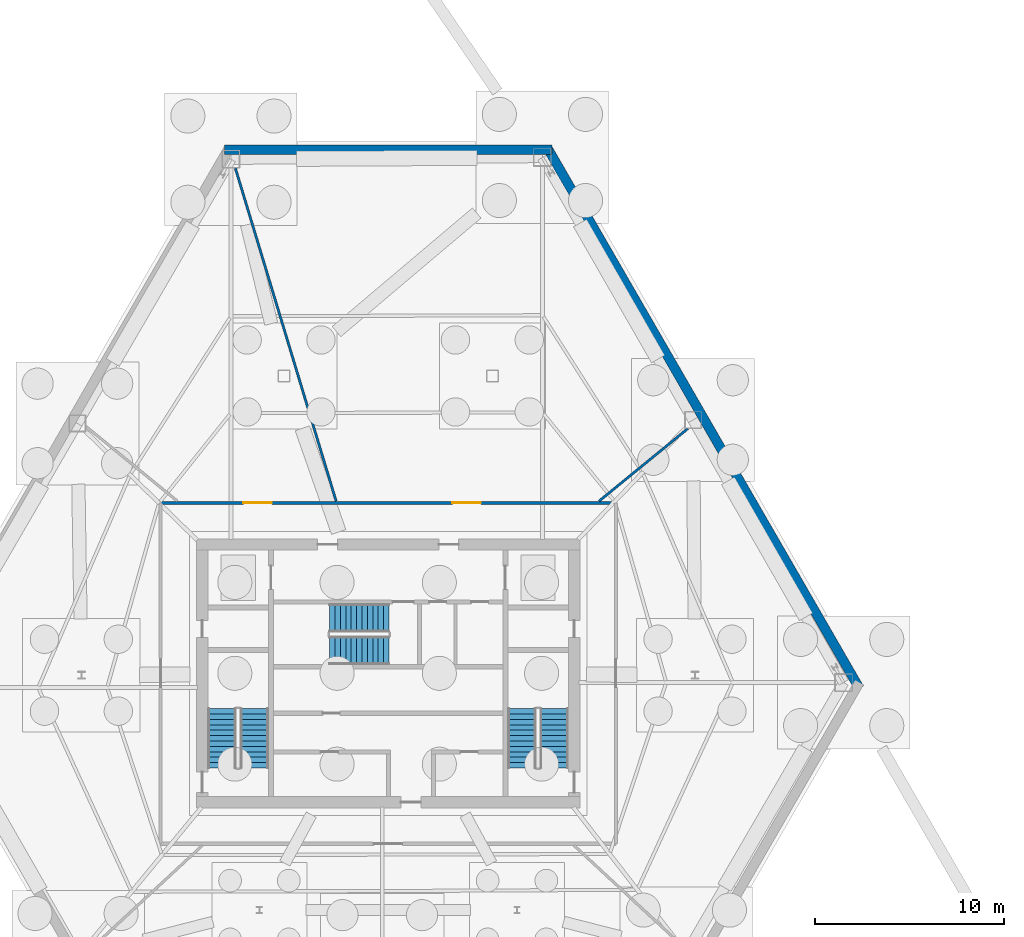
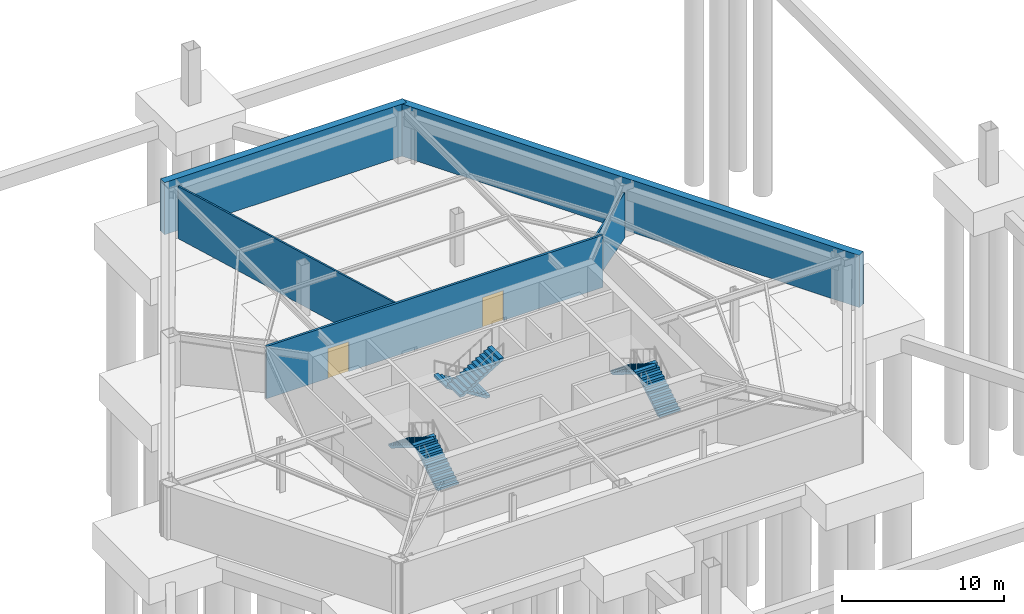
# One storey, part 9 of 11: 6 stair flights, 5 walls, 2 doors, 2 openings, 3 elements without a shape of their own.
"""IFC4 building model written with IfcOpenShell, lengths in metres."""

from ifc_helpers import new_model, si_unit, direction, frame, frame_2d, origin, place, context, subcontext, project, spatial, polyline, rectangle, outline, extrude, material, layer, layer_set, type_object, element, fill, aggregate, save


model = new_model("IFC4")

# Units and contexts
model_context = context("Model", 3, precision=1e-05, world=origin(), true_north=direction((0.0, 1.0)))
body_context = subcontext(model_context, "Body", "Model", "MODEL_VIEW")
ifc_project = project(units=[si_unit("LENGTHUNIT", "METRE"), si_unit("AREAUNIT", "SQUARE_METRE"), si_unit("VOLUMEUNIT", "CUBIC_METRE"), si_unit("PLANEANGLEUNIT", "RADIAN"), si_unit("MASSUNIT", "GRAM", prefix="KILO")], contexts=[model_context])

# Site, building, storey
site_placement = place(None, origin())
site = spatial("IfcSite", under=ifc_project, at=site_placement, CompositionType="ELEMENT")
building_placement = place(site_placement, origin())
building = spatial("IfcBuilding", under=site, at=building_placement, Name="Kavelnor Concourse Tower", CompositionType="ELEMENT")
storey_placement = place(building_placement, frame((0.0, 0.0, -8.39990234375)))
storey = spatial("IfcBuildingStorey", under=building, at=storey_placement, Name="B02", CompositionType="ELEMENT", Elevation=-8.39990234375)

# Walls
ifc_material_1 = material(Name="Concrete C50/60", Category="concrete")
ifc_layer_1 = layer(ifc_material_1, 0.5, Name="Concrete C50/60")
ifc_layer_set_1 = layer_set([ifc_layer_1], Name="Concrete C50/60")
wall_type_1 = type_object("IfcWallType", Name="WL-BSMT-RET-500", PredefinedType="SHEAR", material=ifc_layer_set_1)
wall_1_placement = place(storey_placement, frame((46.644287109375, 43.735595703125, 0.0), z_axis=(0.0, 0.0, 1.0), x_axis=(-1.0, 0.0, 0.0)))
element("IfcWall", 1, at=wall_1_placement, inside=storey, type_object=wall_type_1, Name="B02 Perimeter Retaining Wall 1 (500 mm)", PredefinedType="SHEAR", context=body_context, shape_type="SweptSolid", body=[
    extrude(rectangle(XDim=17.28857421875, YDim=0.5, at=frame_2d((8.644287109375, 0.0))), origin(), (0.0, 0.0, 1.0), 3.949951171875),
])
wall_2_placement = place(storey_placement, frame((62.877685546875, 15.310546875, 0.0), z_axis=(0.0, 0.0, 1.0), x_axis=(-0.499999749417, 0.866025548458, 0.0)))
element("IfcWall", 2, at=wall_2_placement, inside=storey, type_object=wall_type_1, Name="B02 Perimeter Retaining Wall 6 (500 mm)", PredefinedType="SHEAR", context=body_context, shape_type="SweptSolid", body=[
    extrude(rectangle(XDim=33.0, YDim=0.5, at=frame_2d((16.5, 0.0))), origin(), (0.0, 0.0, 1.0), 3.949951171875),
])

# Wall, openings, doors
ifc_material_2 = material(Name="Gypsum plasterboard on light-gauge steel studs", Category="steel")
ifc_layer_2 = layer(ifc_material_2, 0.1650390625, Name="Gypsum plasterboard on light-gauge steel studs")
ifc_layer_set_2 = layer_set([ifc_layer_2], Name="Gypsum plasterboard on light-gauge steel studs")
wall_type_2 = type_object("IfcWallType", Name="WL-INT-FIRE-165", PredefinedType="PARTITIONING", material=ifc_layer_set_2)
wall_3_placement = place(storey_placement, frame((25.97998046875, 25.10009765625, 0.0), z_axis=(0.0, 0.0, 1.0), x_axis=(1.0, 0.0, 0.0)))
wall_3 = element("IfcWall", 3, at=wall_3_placement, inside=storey, type_object=wall_type_2, Name="B02 Corridor Wall WL-B02-CR-N", PredefinedType="PARTITIONING", context=body_context, shape_type="SweptSolid", body=[
    extrude(rectangle(XDim=24.0400390625, YDim=0.1650390625, at=frame_2d((12.02001953125, 0.0))), origin(), (0.0, 0.0, 1.0), 3.949951171875),
])
opening_1_placement = place(wall_3_placement, frame((15.4150390625, 0.0, 0.0)))
opening_1 = element("IfcOpeningElement", 4, at=opening_1_placement, cuts=wall_3, Name="Opening PD-150", PredefinedType="OPENING", context=body_context, shape_type="SweptSolid", body=[
    extrude(rectangle(XDim=1.5, YDim=2.25, at=frame_2d((0.75, 1.125))), frame((0.0, 0.092529296875, 0.0), z_axis=(0.0, -1.0, 0.0), x_axis=(1.0, 0.0, 0.0)), (0.0, 0.0, 1.0), 0.18505859375),
])
opening_2_placement = place(wall_3_placement, frame((4.373779296875, 0.0, 0.0)))
opening_2 = element("IfcOpeningElement", 5, at=opening_2_placement, cuts=wall_3, Name="Opening PD-150", PredefinedType="OPENING", context=body_context, shape_type="SweptSolid", body=[
    extrude(rectangle(XDim=1.5, YDim=2.25, at=frame_2d((0.75, 1.125))), frame((0.0, 0.092529296875, 0.0), z_axis=(0.0, -1.0, 0.0), x_axis=(1.0, 0.0, 0.0)), (0.0, 0.0, 1.0), 0.18505859375),
])
ifc_material_3 = material(Name="Steel Grade 350", Category="steel")
door_type = type_object("IfcDoorType", Name="DR-PLANT-1500", OperationType="NOTDEFINED", PredefinedType="DOOR", material=ifc_material_3)
door_1_placement = place(opening_1_placement, origin())
door_1 = element("IfcDoor", 6, at=door_1_placement, inside=storey, type_object=door_type, Name="B02 Domestic Potable Water Tank Room 01 Door", OperationType="DOUBLE_DOOR_SINGLE_SWING", OverallHeight=2.25, OverallWidth=1.5, PredefinedType="DOOR", context=body_context, shape_type="SweptSolid", body=[
    extrude(rectangle(XDim=1.5, YDim=2.25, at=frame_2d((0.75, 1.125))), frame((0.0, 0.02490234375, 0.0), z_axis=(0.0, -1.0, 0.0), x_axis=(1.0, 0.0, 0.0)), (0.0, 0.0, 1.0), 0.050048828125),
])
fill(opening_1, door_1)
door_2_placement = place(opening_2_placement, origin())
door_2 = element("IfcDoor", 7, at=door_2_placement, inside=storey, type_object=door_type, Name="B02 Fire Sprinkler Break Tank Room 02 Door", OperationType="DOUBLE_DOOR_SINGLE_SWING", OverallHeight=2.25, OverallWidth=1.5, PredefinedType="DOOR", context=body_context, shape_type="SweptSolid", body=[
    extrude(rectangle(XDim=1.5, YDim=2.25, at=frame_2d((0.75, 1.125))), frame((0.0, 0.02490234375, 0.0), z_axis=(0.0, -1.0, 0.0), x_axis=(1.0, 0.0, 0.0)), (0.0, 0.0, 1.0), 0.050048828125),
])
fill(opening_2, door_2)

# Walls
ifc_layer_3 = layer(ifc_material_2, 0.125, Name="Gypsum plasterboard on light-gauge steel studs")
ifc_layer_set_3 = layer_set([ifc_layer_3], Name="Gypsum plasterboard on light-gauge steel studs")
wall_type_3 = type_object("IfcWallType", Name="WL-INT-SUITE-125", PredefinedType="PARTITIONING", material=ifc_layer_set_3)
wall_4_placement = place(storey_placement, frame((49.131591796875, 25.1904296875, 0.0), z_axis=(0.0, 0.0, 1.0), x_axis=(0.774559140632, 0.632501492222, 0.0)))
element("IfcWall", 8, at=wall_4_placement, inside=storey, type_object=wall_type_3, Name="B02 Radial Suite Partition 01", PredefinedType="PARTITIONING", context=body_context, shape_type="SweptSolid", body=[
    extrude(rectangle(XDim=6.05126953125, YDim=0.125, at=frame_2d((3.025634765625, 0.0))), origin(), (0.0, 0.0, 1.0), 3.4169921875),
])
wall_5_placement = place(storey_placement, frame((35.249267578125, 25.1904296875, 0.0), z_axis=(0.0, 0.0, 1.0), x_axis=(-0.289619538285, 0.957141851057, 0.0)))
element("IfcWall", 9, at=wall_5_placement, inside=storey, type_object=wall_type_3, Name="B02 Radial Suite Partition 02", PredefinedType="PARTITIONING", context=body_context, shape_type="SweptSolid", body=[
    extrude(rectangle(XDim=18.3623046875, YDim=0.125, at=frame_2d((9.18115234375, 0.0))), origin(), (0.0, 0.0, 1.0), 3.949951171875),
])

# Stair, stair flights
ifc_material_4 = material(Name="Concrete C40/50", Category="concrete")
stair_type = type_object("IfcStairType", Name="STR-CORE-1500", PredefinedType="HALF_TURN_STAIR", material=ifc_material_4)
stair_1_placement = place(storey_placement, origin())
stair_1 = element("IfcStair", 10, at=stair_1_placement, inside=storey, type_object=stair_type, Name="B02 ST1", PredefinedType="HALF_TURN_STAIR")
stair_flight_type = type_object("IfcStairFlightType", Name="STR-FLIGHT-1500", PredefinedType="STRAIGHT", material=ifc_material_4)
stair_flight_1_placement = place(storey_placement, frame((30.929931640625, 11.10009765625, 0.0), z_axis=(0.0, 0.0, 1.0), x_axis=(0.0, 1.0, 0.0)))
stair_flight_1 = element("IfcStairFlight", 11, at=stair_flight_1_placement, type_object=stair_flight_type, Name="ST1 flight 1", NumberOfRisers=12, NumberOfTreads=11, PredefinedType="STRAIGHT", RiserHeight=0.175, TreadLength=0.285, context=body_context, shape_type="SweptSolid", body=[
    extrude(outline(polyline([(0.0, 0.0), (0.0, 0.175048828125), (0.284912109375, 0.175048828125), (0.284912109375, 0.35009765625), (0.570068359375, 0.35009765625), (0.570068359375, 0.52490234375), (0.85498046875, 0.52490234375), (0.85498046875, 0.699951171875), (1.139892578125, 0.699951171875), (1.139892578125, 0.875), (1.425048828125, 0.875), (1.425048828125, 1.050048828125), (1.7099609375, 1.050048828125), (1.7099609375, 1.22509765625), (1.9951171875, 1.22509765625), (1.9951171875, 1.39990234375), (2.280029296875, 1.39990234375), (2.280029296875, 1.574951171875), (2.56494140625, 1.574951171875), (2.56494140625, 1.75), (2.85009765625, 1.75), (2.85009765625, 1.925048828125), (3.135009765625, 1.925048828125), (3.135009765625, 2.10009765625), (3.135009765625, 1.7490234375), (0.286376953125, 0.0), (0.0, 0.0)])), frame((0.0, 0.75, 0.0), z_axis=(0.0, -1.0, 0.0), x_axis=(1.0, 0.0, 0.0)), (0.0, 0.0, 1.0), 1.5),
])
stair_flight_2_placement = place(storey_placement, frame((29.22998046875, 14.235107421875, 2.099853515625), z_axis=(0.0, 0.0, 1.0), x_axis=(0.0, -1.0, 0.0)))
stair_flight_2 = element("IfcStairFlight", 12, at=stair_flight_2_placement, type_object=stair_flight_type, Name="ST1 flight 2", NumberOfRisers=12, NumberOfTreads=11, PredefinedType="STRAIGHT", RiserHeight=0.175, TreadLength=0.285, context=body_context, shape_type="SweptSolid", body=[
    extrude(outline(polyline([(0.0, 0.0), (0.0, 0.175048828125), (0.284912109375, 0.175048828125), (0.284912109375, 0.35009765625), (0.570068359375, 0.35009765625), (0.570068359375, 0.52490234375), (0.85498046875, 0.52490234375), (0.85498046875, 0.699951171875), (1.139892578125, 0.699951171875), (1.139892578125, 0.875), (1.425048828125, 0.875), (1.425048828125, 1.050048828125), (1.7099609375, 1.050048828125), (1.7099609375, 1.22509765625), (1.9951171875, 1.22509765625), (1.9951171875, 1.39990234375), (2.280029296875, 1.39990234375), (2.280029296875, 1.574951171875), (2.56494140625, 1.574951171875), (2.56494140625, 1.75), (2.85009765625, 1.75), (2.85009765625, 1.925048828125), (3.135009765625, 1.925048828125), (3.135009765625, 2.10009765625), (3.135009765625, 1.7490234375), (0.286376953125, 0.0), (0.0, 0.0)])), frame((0.0, 0.75, 0.0), z_axis=(0.0, -1.0, 0.0), x_axis=(1.0, 0.0, 0.0)), (0.0, 0.0, 1.0), 1.5),
])
aggregate(stair_1, [stair_flight_1, stair_flight_2])

stair_2_placement = place(storey_placement, origin())
stair_2 = element("IfcStair", 13, at=stair_2_placement, inside=storey, type_object=stair_type, Name="B02 ST2", PredefinedType="HALF_TURN_STAIR")
stair_flight_3_placement = place(storey_placement, frame((46.77001953125, 11.10009765625, 0.0), z_axis=(0.0, 0.0, 1.0), x_axis=(0.0, 1.0, 0.0)))
stair_flight_3 = element("IfcStairFlight", 14, at=stair_flight_3_placement, type_object=stair_flight_type, Name="ST2 flight 1", NumberOfRisers=12, NumberOfTreads=11, PredefinedType="STRAIGHT", RiserHeight=0.175, TreadLength=0.285, context=body_context, shape_type="SweptSolid", body=[
    extrude(outline(polyline([(0.0, 0.0), (0.0, 0.175048828125), (0.284912109375, 0.175048828125), (0.284912109375, 0.35009765625), (0.570068359375, 0.35009765625), (0.570068359375, 0.52490234375), (0.85498046875, 0.52490234375), (0.85498046875, 0.699951171875), (1.139892578125, 0.699951171875), (1.139892578125, 0.875), (1.425048828125, 0.875), (1.425048828125, 1.050048828125), (1.7099609375, 1.050048828125), (1.7099609375, 1.22509765625), (1.9951171875, 1.22509765625), (1.9951171875, 1.39990234375), (2.280029296875, 1.39990234375), (2.280029296875, 1.574951171875), (2.56494140625, 1.574951171875), (2.56494140625, 1.75), (2.85009765625, 1.75), (2.85009765625, 1.925048828125), (3.135009765625, 1.925048828125), (3.135009765625, 2.10009765625), (3.135009765625, 1.7490234375), (0.286376953125, 0.0), (0.0, 0.0)])), frame((0.0, 0.75, 0.0), z_axis=(0.0, -1.0, 0.0), x_axis=(1.0, 0.0, 0.0)), (0.0, 0.0, 1.0), 1.5),
])
stair_flight_4_placement = place(storey_placement, frame((45.070068359375, 14.235107421875, 2.099853515625), z_axis=(0.0, 0.0, 1.0), x_axis=(0.0, -1.0, 0.0)))
stair_flight_4 = element("IfcStairFlight", 15, at=stair_flight_4_placement, type_object=stair_flight_type, Name="ST2 flight 2", NumberOfRisers=12, NumberOfTreads=11, PredefinedType="STRAIGHT", RiserHeight=0.175, TreadLength=0.285, context=body_context, shape_type="SweptSolid", body=[
    extrude(outline(polyline([(0.0, 0.0), (0.0, 0.175048828125), (0.284912109375, 0.175048828125), (0.284912109375, 0.35009765625), (0.570068359375, 0.35009765625), (0.570068359375, 0.52490234375), (0.85498046875, 0.52490234375), (0.85498046875, 0.699951171875), (1.139892578125, 0.699951171875), (1.139892578125, 0.875), (1.425048828125, 0.875), (1.425048828125, 1.050048828125), (1.7099609375, 1.050048828125), (1.7099609375, 1.22509765625), (1.9951171875, 1.22509765625), (1.9951171875, 1.39990234375), (2.280029296875, 1.39990234375), (2.280029296875, 1.574951171875), (2.56494140625, 1.574951171875), (2.56494140625, 1.75), (2.85009765625, 1.75), (2.85009765625, 1.925048828125), (3.135009765625, 1.925048828125), (3.135009765625, 2.10009765625), (3.135009765625, 1.7490234375), (0.286376953125, 0.0), (0.0, 0.0)])), frame((0.0, 0.75, 0.0), z_axis=(0.0, -1.0, 0.0), x_axis=(1.0, 0.0, 0.0)), (0.0, 0.0, 1.0), 1.5),
])
aggregate(stair_2, [stair_flight_3, stair_flight_4])

stair_3_placement = place(storey_placement, origin())
stair_3 = element("IfcStair", 16, at=stair_3_placement, inside=storey, type_object=stair_type, Name="B02 ST3", PredefinedType="HALF_TURN_STAIR")
stair_flight_5_placement = place(storey_placement, frame((38.0400390625, 19.010009765625, 0.0), z_axis=(0.0, 0.0, 1.0), x_axis=(-1.0, 0.0, 0.0)))
stair_flight_5 = element("IfcStairFlight", 17, at=stair_flight_5_placement, type_object=stair_flight_type, Name="ST3 flight 1", NumberOfRisers=12, NumberOfTreads=11, PredefinedType="STRAIGHT", RiserHeight=0.175, TreadLength=0.285, context=body_context, shape_type="SweptSolid", body=[
    extrude(outline(polyline([(0.0, 0.0), (0.0, 0.175048828125), (0.284912109375, 0.175048828125), (0.284912109375, 0.35009765625), (0.570068359375, 0.35009765625), (0.570068359375, 0.52490234375), (0.85498046875, 0.52490234375), (0.85498046875, 0.699951171875), (1.139892578125, 0.699951171875), (1.139892578125, 0.875), (1.425048828125, 0.875), (1.425048828125, 1.050048828125), (1.7099609375, 1.050048828125), (1.7099609375, 1.22509765625), (1.9951171875, 1.22509765625), (1.9951171875, 1.39990234375), (2.280029296875, 1.39990234375), (2.280029296875, 1.574951171875), (2.56494140625, 1.574951171875), (2.56494140625, 1.75), (2.85009765625, 1.75), (2.85009765625, 1.925048828125), (3.135009765625, 1.925048828125), (3.135009765625, 2.10009765625), (3.135009765625, 1.7490234375), (0.286376953125, 0.0), (0.0, 0.0)])), frame((0.0, 0.75, 0.0), z_axis=(0.0, -1.0, 0.0), x_axis=(1.0, 0.0, 0.0)), (0.0, 0.0, 1.0), 1.5),
])
stair_flight_6_placement = place(storey_placement, frame((34.905029296875, 17.31005859375, 2.099853515625), z_axis=(0.0, 0.0, 1.0), x_axis=(1.0, 0.0, 0.0)))
stair_flight_6 = element("IfcStairFlight", 18, at=stair_flight_6_placement, type_object=stair_flight_type, Name="ST3 flight 2", NumberOfRisers=12, NumberOfTreads=11, PredefinedType="STRAIGHT", RiserHeight=0.175, TreadLength=0.285, context=body_context, shape_type="SweptSolid", body=[
    extrude(outline(polyline([(0.0, 0.0), (0.0, 0.175048828125), (0.284912109375, 0.175048828125), (0.284912109375, 0.35009765625), (0.570068359375, 0.35009765625), (0.570068359375, 0.52490234375), (0.85498046875, 0.52490234375), (0.85498046875, 0.699951171875), (1.139892578125, 0.699951171875), (1.139892578125, 0.875), (1.425048828125, 0.875), (1.425048828125, 1.050048828125), (1.7099609375, 1.050048828125), (1.7099609375, 1.22509765625), (1.9951171875, 1.22509765625), (1.9951171875, 1.39990234375), (2.280029296875, 1.39990234375), (2.280029296875, 1.574951171875), (2.56494140625, 1.574951171875), (2.56494140625, 1.75), (2.85009765625, 1.75), (2.85009765625, 1.925048828125), (3.135009765625, 1.925048828125), (3.135009765625, 2.10009765625), (3.135009765625, 1.7490234375), (0.286376953125, 0.0), (0.0, 0.0)])), frame((0.0, 0.75, 0.0), z_axis=(0.0, -1.0, 0.0), x_axis=(1.0, 0.0, 0.0)), (0.0, 0.0, 1.0), 1.5),
])
aggregate(stair_3, [stair_flight_5, stair_flight_6])

save(model, "model.ifc")
